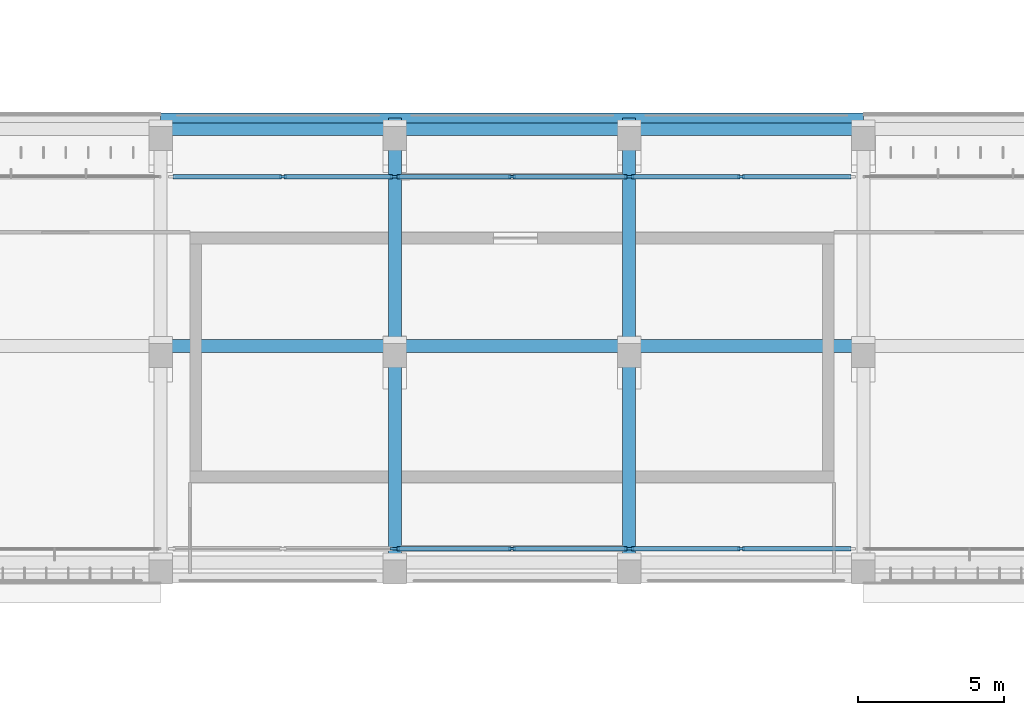
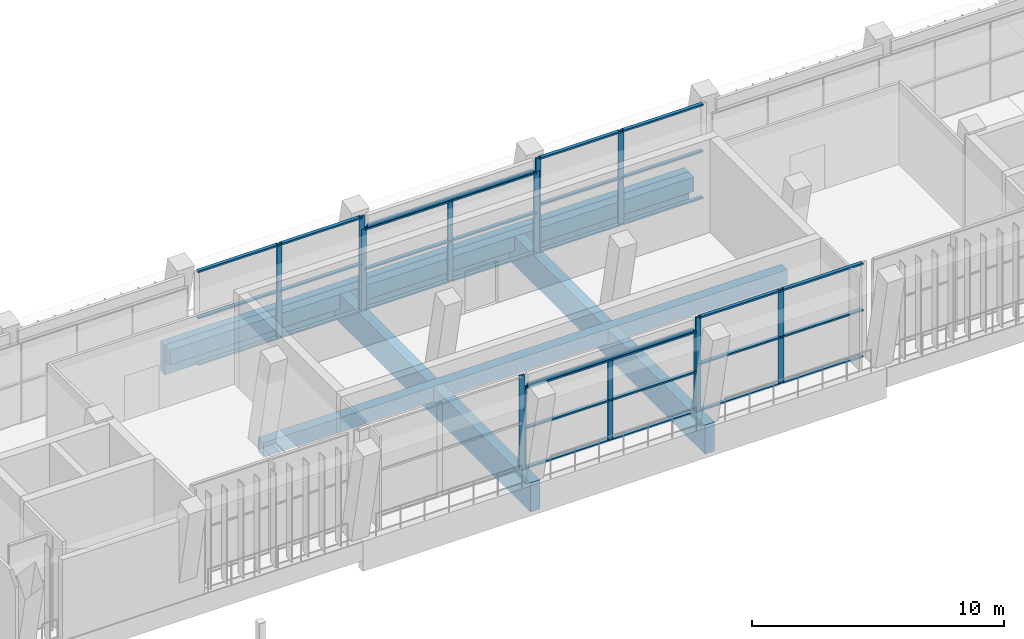
# One storey, part 16 of 89: 43 members, 7 beams, 6 elements without a shape of their own.
"""IFC4 building model written with IfcOpenShell, lengths in metres."""

from ifc_helpers import new_model, si_unit, direction, frame, origin, origin_2d, place, context, subcontext, project, spatial, rectangle, hollow_rectangle, extrude, material, material_profile, profile_set, type_object, element, aggregate, save


model = new_model("IFC4")

# Units and contexts
model_context = context("Model", 3, precision=1e-05, world=origin(), true_north=direction((0.0, 1.0)))
body_context = subcontext(model_context, "Body", "Model", "MODEL_VIEW")
ifc_project = project(units=[si_unit("LENGTHUNIT", "METRE"), si_unit("AREAUNIT", "SQUARE_METRE"), si_unit("VOLUMEUNIT", "CUBIC_METRE"), si_unit("PLANEANGLEUNIT", "RADIAN"), si_unit("MASSUNIT", "GRAM", prefix="KILO")], contexts=[model_context])

# Site, building, storey
site_placement = place(None, origin())
site = spatial("IfcSite", under=ifc_project, at=site_placement, CompositionType="ELEMENT")
building_placement = place(site_placement, origin())
building = spatial("IfcBuilding", under=site, at=building_placement, Name="Lantern Court Media Centre", CompositionType="ELEMENT")
storey_placement = place(building_placement, frame((0.0, 0.0, 14.39990234375)))
storey = spatial("IfcBuildingStorey", under=building, at=storey_placement, Name="L03", CompositionType="ELEMENT", Elevation=14.39990234375)

# Curtain wall, member
ifc_material_1 = material(Name="Curtain wall bay 4000")
curtain_wall_type = type_object("IfcCurtainWallType", Name="Curtain wall bay 4000", PredefinedType="NOTDEFINED", material=ifc_material_1)
curtain_wall_1_placement = place(storey_placement, origin())
curtain_wall_1 = element("IfcCurtainWall", 1, at=curtain_wall_1_placement, inside=storey, type_object=curtain_wall_type, Name="Curtain wall S outer L03", PredefinedType="NOTDEFINED")
ifc_material_2 = material(Name="Anodised aluminium", Category="aluminium")
ifc_material_profile_1 = material_profile(ifc_material_2, rectangle(XDim=0.080078125, YDim=0.239990234375, at=origin_2d()), Name="AL 80x240")
ifc_profile_set_1 = profile_set([ifc_material_profile_1], Name="Anodised aluminium")
member_type_1 = type_object("IfcMemberType", Name="Curtain wall mullion 80x240", PredefinedType="MULLION", material=ifc_profile_set_1)
member_1_placement = place(storey_placement, frame((47.9599609375, 46.14990234375, 0.0), z_axis=(0.0, 0.0, 1.0), x_axis=(0.0, 1.0, 0.0)))
member_1 = element("IfcMember", 2, at=member_1_placement, type_object=member_type_1, Name="CW3 mullion 3", PredefinedType="MULLION", context=body_context, shape_type="SweptSolid", body=[
    extrude(rectangle(XDim=0.080078125, YDim=0.239990234375, at=origin_2d()), origin(), (0.0, 0.0, 1.0), 4.580078125),
])
aggregate(curtain_wall_1, [member_1])

# Curtain wall, members
curtain_wall_2_placement = place(storey_placement, origin())
curtain_wall_2 = element("IfcCurtainWall", 3, at=curtain_wall_2_placement, inside=storey, type_object=curtain_wall_type, Name="Curtain wall S outer L03", PredefinedType="NOTDEFINED")
member_2_placement = place(storey_placement, frame((48.0400390625, 46.14990234375, 0.0), z_axis=(0.0, 0.0, 1.0), x_axis=(0.0, 1.0, 0.0)))
member_2 = element("IfcMember", 4, at=member_2_placement, type_object=member_type_1, Name="CW3 mullion 1", PredefinedType="MULLION", context=body_context, shape_type="SweptSolid", body=[
    extrude(rectangle(XDim=0.080078125, YDim=0.239990234375, at=origin_2d()), origin(), (0.0, 0.0, 1.0), 3.9501953125),
])
member_3_placement = place(storey_placement, frame((52.0, 46.14990234375, 0.0), z_axis=(0.0, 0.0, 1.0), x_axis=(0.0, 1.0, 0.0)))
member_3 = element("IfcMember", 5, at=member_3_placement, type_object=member_type_1, Name="CW3 mullion 2", PredefinedType="MULLION", context=body_context, shape_type="SweptSolid", body=[
    extrude(rectangle(XDim=0.080078125, YDim=0.239990234375, at=origin_2d()), origin(), (0.0, 0.0, 1.0), 3.9501953125),
])
member_4_placement = place(storey_placement, frame((55.9599609375, 46.14990234375, 0.0), z_axis=(0.0, 0.0, 1.0), x_axis=(0.0, 1.0, 0.0)))
member_4 = element("IfcMember", 6, at=member_4_placement, type_object=member_type_1, Name="CW3 mullion 3", PredefinedType="MULLION", context=body_context, shape_type="SweptSolid", body=[
    extrude(rectangle(XDim=0.080078125, YDim=0.239990234375, at=origin_2d()), origin(), (0.0, 0.0, 1.0), 3.9501953125),
])

curtain_wall_3_placement = place(storey_placement, origin())
curtain_wall_3 = element("IfcCurtainWall", 7, at=curtain_wall_3_placement, inside=storey, type_object=curtain_wall_type, Name="Curtain wall S outer L03", PredefinedType="NOTDEFINED")
member_5_placement = place(storey_placement, frame((56.0400390625, 46.14990234375, 0.0), z_axis=(0.0, 0.0, 1.0), x_axis=(0.0, 1.0, 0.0)))
member_5 = element("IfcMember", 8, at=member_5_placement, type_object=member_type_1, Name="CW3 mullion 1", PredefinedType="MULLION", context=body_context, shape_type="SweptSolid", body=[
    extrude(rectangle(XDim=0.080078125, YDim=0.239990234375, at=origin_2d()), origin(), (0.0, 0.0, 1.0), 4.580078125),
])
member_6_placement = place(storey_placement, frame((59.824951171875, 46.14990234375, 0.0), z_axis=(0.0, 0.0, 1.0), x_axis=(0.0, 1.0, 0.0)))
member_6 = element("IfcMember", 9, at=member_6_placement, type_object=member_type_1, Name="CW3 mullion 2", PredefinedType="MULLION", context=body_context, shape_type="SweptSolid", body=[
    extrude(rectangle(XDim=0.080078125, YDim=0.239990234375, at=origin_2d()), origin(), (0.0, 0.0, 1.0), 4.580078125),
])

curtain_wall_4_placement = place(storey_placement, origin())
curtain_wall_4 = element("IfcCurtainWall", 10, at=curtain_wall_4_placement, inside=storey, type_object=curtain_wall_type, Name="Curtain wall S inner L03", PredefinedType="NOTDEFINED")
member_7_placement = place(storey_placement, frame((44.175048828125, 58.85009765625, 0.0), z_axis=(0.0, 0.0, 1.0), x_axis=(0.0, 1.0, 0.0)))
member_7 = element("IfcMember", 11, at=member_7_placement, type_object=member_type_1, Name="CW3 mullion 2", PredefinedType="MULLION", context=body_context, shape_type="SweptSolid", body=[
    extrude(rectangle(XDim=0.080078125, YDim=0.239990234375, at=origin_2d()), origin(), (0.0, 0.0, 1.0), 4.580078125),
])
member_8_placement = place(storey_placement, frame((47.9599609375, 58.85009765625, 0.0), z_axis=(0.0, 0.0, 1.0), x_axis=(0.0, 1.0, 0.0)))
member_8 = element("IfcMember", 12, at=member_8_placement, type_object=member_type_1, Name="CW3 mullion 3", PredefinedType="MULLION", context=body_context, shape_type="SweptSolid", body=[
    extrude(rectangle(XDim=0.080078125, YDim=0.239990234375, at=origin_2d()), origin(), (0.0, 0.0, 1.0), 4.580078125),
])

curtain_wall_5_placement = place(storey_placement, origin())
curtain_wall_5 = element("IfcCurtainWall", 13, at=curtain_wall_5_placement, inside=storey, type_object=curtain_wall_type, Name="Curtain wall S inner L03", PredefinedType="NOTDEFINED")
member_9_placement = place(storey_placement, frame((48.0400390625, 58.85009765625, 0.0), z_axis=(0.0, 0.0, 1.0), x_axis=(0.0, 1.0, 0.0)))
member_9 = element("IfcMember", 14, at=member_9_placement, type_object=member_type_1, Name="CW3 mullion 1", PredefinedType="MULLION", context=body_context, shape_type="SweptSolid", body=[
    extrude(rectangle(XDim=0.080078125, YDim=0.239990234375, at=origin_2d()), origin(), (0.0, 0.0, 1.0), 3.9501953125),
])
member_10_placement = place(storey_placement, frame((52.0, 58.85009765625, 0.0), z_axis=(0.0, 0.0, 1.0), x_axis=(0.0, 1.0, 0.0)))
member_10 = element("IfcMember", 15, at=member_10_placement, type_object=member_type_1, Name="CW3 mullion 2", PredefinedType="MULLION", context=body_context, shape_type="SweptSolid", body=[
    extrude(rectangle(XDim=0.080078125, YDim=0.239990234375, at=origin_2d()), origin(), (0.0, 0.0, 1.0), 3.9501953125),
])
member_11_placement = place(storey_placement, frame((55.9599609375, 58.85009765625, 0.0), z_axis=(0.0, 0.0, 1.0), x_axis=(0.0, 1.0, 0.0)))
member_11 = element("IfcMember", 16, at=member_11_placement, type_object=member_type_1, Name="CW3 mullion 3", PredefinedType="MULLION", context=body_context, shape_type="SweptSolid", body=[
    extrude(rectangle(XDim=0.080078125, YDim=0.239990234375, at=origin_2d()), origin(), (0.0, 0.0, 1.0), 3.9501953125),
])

curtain_wall_6_placement = place(storey_placement, origin())
curtain_wall_6 = element("IfcCurtainWall", 17, at=curtain_wall_6_placement, inside=storey, type_object=curtain_wall_type, Name="Curtain wall S inner L03", PredefinedType="NOTDEFINED")
member_12_placement = place(storey_placement, frame((56.0400390625, 58.85009765625, 0.0), z_axis=(0.0, 0.0, 1.0), x_axis=(0.0, 1.0, 0.0)))
member_12 = element("IfcMember", 18, at=member_12_placement, type_object=member_type_1, Name="CW3 mullion 1", PredefinedType="MULLION", context=body_context, shape_type="SweptSolid", body=[
    extrude(rectangle(XDim=0.080078125, YDim=0.239990234375, at=origin_2d()), origin(), (0.0, 0.0, 1.0), 4.580078125),
])
member_13_placement = place(storey_placement, frame((59.824951171875, 58.85009765625, 0.0), z_axis=(0.0, 0.0, 1.0), x_axis=(0.0, 1.0, 0.0)))
member_13 = element("IfcMember", 19, at=member_13_placement, type_object=member_type_1, Name="CW3 mullion 2", PredefinedType="MULLION", context=body_context, shape_type="SweptSolid", body=[
    extrude(rectangle(XDim=0.080078125, YDim=0.239990234375, at=origin_2d()), origin(), (0.0, 0.0, 1.0), 4.580078125),
])

# Member
ifc_material_profile_2 = material_profile(ifc_material_2, rectangle(XDim=0.159912109375, YDim=0.080078125, at=origin_2d()), Name="AL 80x160")
ifc_profile_set_2 = profile_set([ifc_material_profile_2], Name="Anodised aluminium")
member_type_2 = type_object("IfcMemberType", Name="Curtain wall transom 160x80", PredefinedType="USERDEFINED", material=ifc_profile_set_2)
member_14_placement = place(storey_placement, frame((48.080078125, 46.14990234375, 0.0400390625), z_axis=(1.0, 0.0, 0.0), x_axis=(0.0, 1.0, 0.0)))
member_14 = element("IfcMember", 20, at=member_14_placement, type_object=member_type_2, Name="CW3 transom 1.1", ObjectType="TRANSOM", PredefinedType="USERDEFINED", context=body_context, shape_type="SweptSolid", body=[
    extrude(rectangle(XDim=0.159912109375, YDim=0.080078125, at=origin_2d()), origin(), (0.0, 0.0, 1.0), 3.8798828125),
])

member_15_placement = place(storey_placement, frame((48.080078125, 46.14990234375, 1.97509765625), z_axis=(1.0, 0.0, 0.0), x_axis=(0.0, 1.0, 0.0)))
member_15 = element("IfcMember", 21, at=member_15_placement, type_object=member_type_2, Name="CW3 transom 1.2", ObjectType="TRANSOM", PredefinedType="USERDEFINED", context=body_context, shape_type="SweptSolid", body=[
    extrude(rectangle(XDim=0.159912109375, YDim=0.080078125, at=origin_2d()), origin(), (0.0, 0.0, 1.0), 3.8798828125),
])

member_16_placement = place(storey_placement, frame((48.080078125, 46.14990234375, 3.91015625), z_axis=(1.0, 0.0, 0.0), x_axis=(0.0, 1.0, 0.0)))
member_16 = element("IfcMember", 22, at=member_16_placement, type_object=member_type_2, Name="CW3 transom 1.3", ObjectType="TRANSOM", PredefinedType="USERDEFINED", context=body_context, shape_type="SweptSolid", body=[
    extrude(rectangle(XDim=0.159912109375, YDim=0.080078125, at=origin_2d()), origin(), (0.0, 0.0, 1.0), 3.8798828125),
])

member_17_placement = place(storey_placement, frame((52.0400390625, 46.14990234375, 0.0400390625), z_axis=(1.0, 0.0, 0.0), x_axis=(0.0, 1.0, 0.0)))
member_17 = element("IfcMember", 23, at=member_17_placement, type_object=member_type_2, Name="CW3 transom 2.1", ObjectType="TRANSOM", PredefinedType="USERDEFINED", context=body_context, shape_type="SweptSolid", body=[
    extrude(rectangle(XDim=0.159912109375, YDim=0.080078125, at=origin_2d()), origin(), (0.0, 0.0, 1.0), 3.8798828125),
])

member_18_placement = place(storey_placement, frame((52.0400390625, 46.14990234375, 1.97509765625), z_axis=(1.0, 0.0, 0.0), x_axis=(0.0, 1.0, 0.0)))
member_18 = element("IfcMember", 24, at=member_18_placement, type_object=member_type_2, Name="CW3 transom 2.2", ObjectType="TRANSOM", PredefinedType="USERDEFINED", context=body_context, shape_type="SweptSolid", body=[
    extrude(rectangle(XDim=0.159912109375, YDim=0.080078125, at=origin_2d()), origin(), (0.0, 0.0, 1.0), 3.8798828125),
])

member_19_placement = place(storey_placement, frame((52.0400390625, 46.14990234375, 3.91015625), z_axis=(1.0, 0.0, 0.0), x_axis=(0.0, 1.0, 0.0)))
member_19 = element("IfcMember", 25, at=member_19_placement, type_object=member_type_2, Name="CW3 transom 2.3", ObjectType="TRANSOM", PredefinedType="USERDEFINED", context=body_context, shape_type="SweptSolid", body=[
    extrude(rectangle(XDim=0.159912109375, YDim=0.080078125, at=origin_2d()), origin(), (0.0, 0.0, 1.0), 3.8798828125),
])

aggregate(curtain_wall_2, [member_2, member_3, member_4, member_14, member_15, member_16, member_17, member_18, member_19])

member_20_placement = place(storey_placement, frame((56.080078125, 46.14990234375, 0.0400390625), z_axis=(1.0, 0.0, 0.0), x_axis=(0.0, 1.0, 0.0)))
member_20 = element("IfcMember", 26, at=member_20_placement, type_object=member_type_2, Name="CW3 transom 1.1", ObjectType="TRANSOM", PredefinedType="USERDEFINED", context=body_context, shape_type="SweptSolid", body=[
    extrude(rectangle(XDim=0.159912109375, YDim=0.080078125, at=origin_2d()), origin(), (0.0, 0.0, 1.0), 3.704833984375),
])

member_21_placement = place(storey_placement, frame((56.080078125, 46.14990234375, 2.2900390625), z_axis=(1.0, 0.0, 0.0), x_axis=(0.0, 1.0, 0.0)))
member_21 = element("IfcMember", 27, at=member_21_placement, type_object=member_type_2, Name="CW3 transom 1.2", ObjectType="TRANSOM", PredefinedType="USERDEFINED", context=body_context, shape_type="SweptSolid", body=[
    extrude(rectangle(XDim=0.159912109375, YDim=0.080078125, at=origin_2d()), origin(), (0.0, 0.0, 1.0), 3.704833984375),
])

member_22_placement = place(storey_placement, frame((56.080078125, 46.14990234375, 4.5400390625), z_axis=(1.0, 0.0, 0.0), x_axis=(0.0, 1.0, 0.0)))
member_22 = element("IfcMember", 28, at=member_22_placement, type_object=member_type_2, Name="CW3 transom 1.3", ObjectType="TRANSOM", PredefinedType="USERDEFINED", context=body_context, shape_type="SweptSolid", body=[
    extrude(rectangle(XDim=0.159912109375, YDim=0.080078125, at=origin_2d()), origin(), (0.0, 0.0, 1.0), 3.704833984375),
])

member_23_placement = place(storey_placement, frame((59.864990234375, 46.14990234375, 0.0400390625), z_axis=(1.0, 0.0, 0.0), x_axis=(0.0, 1.0, 0.0)))
member_23 = element("IfcMember", 29, at=member_23_placement, type_object=member_type_2, Name="CW3 transom 2.1", ObjectType="TRANSOM", PredefinedType="USERDEFINED", context=body_context, shape_type="SweptSolid", body=[
    extrude(rectangle(XDim=0.159912109375, YDim=0.080078125, at=origin_2d()), origin(), (0.0, 0.0, 1.0), 3.705078125),
])

member_24_placement = place(storey_placement, frame((59.864990234375, 46.14990234375, 2.2900390625), z_axis=(1.0, 0.0, 0.0), x_axis=(0.0, 1.0, 0.0)))
member_24 = element("IfcMember", 30, at=member_24_placement, type_object=member_type_2, Name="CW3 transom 2.2", ObjectType="TRANSOM", PredefinedType="USERDEFINED", context=body_context, shape_type="SweptSolid", body=[
    extrude(rectangle(XDim=0.159912109375, YDim=0.080078125, at=origin_2d()), origin(), (0.0, 0.0, 1.0), 3.705078125),
])

member_25_placement = place(storey_placement, frame((59.864990234375, 46.14990234375, 4.5400390625), z_axis=(1.0, 0.0, 0.0), x_axis=(0.0, 1.0, 0.0)))
member_25 = element("IfcMember", 31, at=member_25_placement, type_object=member_type_2, Name="CW3 transom 2.3", ObjectType="TRANSOM", PredefinedType="USERDEFINED", context=body_context, shape_type="SweptSolid", body=[
    extrude(rectangle(XDim=0.159912109375, YDim=0.080078125, at=origin_2d()), origin(), (0.0, 0.0, 1.0), 3.705078125),
])

aggregate(curtain_wall_3, [member_5, member_6, member_20, member_21, member_22, member_23, member_24, member_25])

member_26_placement = place(storey_placement, frame((40.429931640625, 58.85009765625, 0.0400390625), z_axis=(1.0, 0.0, 0.0), x_axis=(0.0, 1.0, 0.0)))
member_26 = element("IfcMember", 32, at=member_26_placement, type_object=member_type_2, Name="CW3 transom 1.1", ObjectType="TRANSOM", PredefinedType="USERDEFINED", context=body_context, shape_type="SweptSolid", body=[
    extrude(rectangle(XDim=0.159912109375, YDim=0.080078125, at=origin_2d()), origin(), (0.0, 0.0, 1.0), 3.705078125),
])

member_27_placement = place(storey_placement, frame((40.429931640625, 58.85009765625, 2.2900390625), z_axis=(1.0, 0.0, 0.0), x_axis=(0.0, 1.0, 0.0)))
member_27 = element("IfcMember", 33, at=member_27_placement, type_object=member_type_2, Name="CW3 transom 1.2", ObjectType="TRANSOM", PredefinedType="USERDEFINED", context=body_context, shape_type="SweptSolid", body=[
    extrude(rectangle(XDim=0.159912109375, YDim=0.080078125, at=origin_2d()), origin(), (0.0, 0.0, 1.0), 3.705078125),
])

member_28_placement = place(storey_placement, frame((40.429931640625, 58.85009765625, 4.5400390625), z_axis=(1.0, 0.0, 0.0), x_axis=(0.0, 1.0, 0.0)))
member_28 = element("IfcMember", 34, at=member_28_placement, type_object=member_type_2, Name="CW3 transom 1.3", ObjectType="TRANSOM", PredefinedType="USERDEFINED", context=body_context, shape_type="SweptSolid", body=[
    extrude(rectangle(XDim=0.159912109375, YDim=0.080078125, at=origin_2d()), origin(), (0.0, 0.0, 1.0), 3.705078125),
])

member_29_placement = place(storey_placement, frame((44.215087890625, 58.85009765625, 0.0400390625), z_axis=(1.0, 0.0, 0.0), x_axis=(0.0, 1.0, 0.0)))
member_29 = element("IfcMember", 35, at=member_29_placement, type_object=member_type_2, Name="CW3 transom 2.1", ObjectType="TRANSOM", PredefinedType="USERDEFINED", context=body_context, shape_type="SweptSolid", body=[
    extrude(rectangle(XDim=0.159912109375, YDim=0.080078125, at=origin_2d()), origin(), (0.0, 0.0, 1.0), 3.704833984375),
])

member_30_placement = place(storey_placement, frame((44.215087890625, 58.85009765625, 2.2900390625), z_axis=(1.0, 0.0, 0.0), x_axis=(0.0, 1.0, 0.0)))
member_30 = element("IfcMember", 36, at=member_30_placement, type_object=member_type_2, Name="CW3 transom 2.2", ObjectType="TRANSOM", PredefinedType="USERDEFINED", context=body_context, shape_type="SweptSolid", body=[
    extrude(rectangle(XDim=0.159912109375, YDim=0.080078125, at=origin_2d()), origin(), (0.0, 0.0, 1.0), 3.704833984375),
])

member_31_placement = place(storey_placement, frame((44.215087890625, 58.85009765625, 4.5400390625), z_axis=(1.0, 0.0, 0.0), x_axis=(0.0, 1.0, 0.0)))
member_31 = element("IfcMember", 37, at=member_31_placement, type_object=member_type_2, Name="CW3 transom 2.3", ObjectType="TRANSOM", PredefinedType="USERDEFINED", context=body_context, shape_type="SweptSolid", body=[
    extrude(rectangle(XDim=0.159912109375, YDim=0.080078125, at=origin_2d()), origin(), (0.0, 0.0, 1.0), 3.704833984375),
])

aggregate(curtain_wall_4, [member_7, member_8, member_26, member_27, member_28, member_29, member_30, member_31])

member_32_placement = place(storey_placement, frame((48.080078125, 58.85009765625, 0.0400390625), z_axis=(1.0, 0.0, 0.0), x_axis=(0.0, 1.0, 0.0)))
member_32 = element("IfcMember", 38, at=member_32_placement, type_object=member_type_2, Name="CW3 transom 1.1", ObjectType="TRANSOM", PredefinedType="USERDEFINED", context=body_context, shape_type="SweptSolid", body=[
    extrude(rectangle(XDim=0.159912109375, YDim=0.080078125, at=origin_2d()), origin(), (0.0, 0.0, 1.0), 3.8798828125),
])

member_33_placement = place(storey_placement, frame((48.080078125, 58.85009765625, 1.97509765625), z_axis=(1.0, 0.0, 0.0), x_axis=(0.0, 1.0, 0.0)))
member_33 = element("IfcMember", 39, at=member_33_placement, type_object=member_type_2, Name="CW3 transom 1.2", ObjectType="TRANSOM", PredefinedType="USERDEFINED", context=body_context, shape_type="SweptSolid", body=[
    extrude(rectangle(XDim=0.159912109375, YDim=0.080078125, at=origin_2d()), origin(), (0.0, 0.0, 1.0), 3.8798828125),
])

member_34_placement = place(storey_placement, frame((48.080078125, 58.85009765625, 3.91015625), z_axis=(1.0, 0.0, 0.0), x_axis=(0.0, 1.0, 0.0)))
member_34 = element("IfcMember", 40, at=member_34_placement, type_object=member_type_2, Name="CW3 transom 1.3", ObjectType="TRANSOM", PredefinedType="USERDEFINED", context=body_context, shape_type="SweptSolid", body=[
    extrude(rectangle(XDim=0.159912109375, YDim=0.080078125, at=origin_2d()), origin(), (0.0, 0.0, 1.0), 3.8798828125),
])

member_35_placement = place(storey_placement, frame((52.0400390625, 58.85009765625, 0.0400390625), z_axis=(1.0, 0.0, 0.0), x_axis=(0.0, 1.0, 0.0)))
member_35 = element("IfcMember", 41, at=member_35_placement, type_object=member_type_2, Name="CW3 transom 2.1", ObjectType="TRANSOM", PredefinedType="USERDEFINED", context=body_context, shape_type="SweptSolid", body=[
    extrude(rectangle(XDim=0.159912109375, YDim=0.080078125, at=origin_2d()), origin(), (0.0, 0.0, 1.0), 3.8798828125),
])

member_36_placement = place(storey_placement, frame((52.0400390625, 58.85009765625, 1.97509765625), z_axis=(1.0, 0.0, 0.0), x_axis=(0.0, 1.0, 0.0)))
member_36 = element("IfcMember", 42, at=member_36_placement, type_object=member_type_2, Name="CW3 transom 2.2", ObjectType="TRANSOM", PredefinedType="USERDEFINED", context=body_context, shape_type="SweptSolid", body=[
    extrude(rectangle(XDim=0.159912109375, YDim=0.080078125, at=origin_2d()), origin(), (0.0, 0.0, 1.0), 3.8798828125),
])

member_37_placement = place(storey_placement, frame((52.0400390625, 58.85009765625, 3.91015625), z_axis=(1.0, 0.0, 0.0), x_axis=(0.0, 1.0, 0.0)))
member_37 = element("IfcMember", 43, at=member_37_placement, type_object=member_type_2, Name="CW3 transom 2.3", ObjectType="TRANSOM", PredefinedType="USERDEFINED", context=body_context, shape_type="SweptSolid", body=[
    extrude(rectangle(XDim=0.159912109375, YDim=0.080078125, at=origin_2d()), origin(), (0.0, 0.0, 1.0), 3.8798828125),
])

aggregate(curtain_wall_5, [member_9, member_10, member_11, member_32, member_33, member_34, member_35, member_36, member_37])

member_38_placement = place(storey_placement, frame((56.080078125, 58.85009765625, 0.0400390625), z_axis=(1.0, 0.0, 0.0), x_axis=(0.0, 1.0, 0.0)))
member_38 = element("IfcMember", 44, at=member_38_placement, type_object=member_type_2, Name="CW3 transom 1.1", ObjectType="TRANSOM", PredefinedType="USERDEFINED", context=body_context, shape_type="SweptSolid", body=[
    extrude(rectangle(XDim=0.159912109375, YDim=0.080078125, at=origin_2d()), origin(), (0.0, 0.0, 1.0), 3.704833984375),
])

member_39_placement = place(storey_placement, frame((56.080078125, 58.85009765625, 2.2900390625), z_axis=(1.0, 0.0, 0.0), x_axis=(0.0, 1.0, 0.0)))
member_39 = element("IfcMember", 45, at=member_39_placement, type_object=member_type_2, Name="CW3 transom 1.2", ObjectType="TRANSOM", PredefinedType="USERDEFINED", context=body_context, shape_type="SweptSolid", body=[
    extrude(rectangle(XDim=0.159912109375, YDim=0.080078125, at=origin_2d()), origin(), (0.0, 0.0, 1.0), 3.704833984375),
])

member_40_placement = place(storey_placement, frame((56.080078125, 58.85009765625, 4.5400390625), z_axis=(1.0, 0.0, 0.0), x_axis=(0.0, 1.0, 0.0)))
member_40 = element("IfcMember", 46, at=member_40_placement, type_object=member_type_2, Name="CW3 transom 1.3", ObjectType="TRANSOM", PredefinedType="USERDEFINED", context=body_context, shape_type="SweptSolid", body=[
    extrude(rectangle(XDim=0.159912109375, YDim=0.080078125, at=origin_2d()), origin(), (0.0, 0.0, 1.0), 3.704833984375),
])

member_41_placement = place(storey_placement, frame((59.864990234375, 58.85009765625, 0.0400390625), z_axis=(1.0, 0.0, 0.0), x_axis=(0.0, 1.0, 0.0)))
member_41 = element("IfcMember", 47, at=member_41_placement, type_object=member_type_2, Name="CW3 transom 2.1", ObjectType="TRANSOM", PredefinedType="USERDEFINED", context=body_context, shape_type="SweptSolid", body=[
    extrude(rectangle(XDim=0.159912109375, YDim=0.080078125, at=origin_2d()), origin(), (0.0, 0.0, 1.0), 3.705078125),
])

member_42_placement = place(storey_placement, frame((59.864990234375, 58.85009765625, 2.2900390625), z_axis=(1.0, 0.0, 0.0), x_axis=(0.0, 1.0, 0.0)))
member_42 = element("IfcMember", 48, at=member_42_placement, type_object=member_type_2, Name="CW3 transom 2.2", ObjectType="TRANSOM", PredefinedType="USERDEFINED", context=body_context, shape_type="SweptSolid", body=[
    extrude(rectangle(XDim=0.159912109375, YDim=0.080078125, at=origin_2d()), origin(), (0.0, 0.0, 1.0), 3.705078125),
])

member_43_placement = place(storey_placement, frame((59.864990234375, 58.85009765625, 4.5400390625), z_axis=(1.0, 0.0, 0.0), x_axis=(0.0, 1.0, 0.0)))
member_43 = element("IfcMember", 49, at=member_43_placement, type_object=member_type_2, Name="CW3 transom 2.3", ObjectType="TRANSOM", PredefinedType="USERDEFINED", context=body_context, shape_type="SweptSolid", body=[
    extrude(rectangle(XDim=0.159912109375, YDim=0.080078125, at=origin_2d()), origin(), (0.0, 0.0, 1.0), 3.705078125),
])

aggregate(curtain_wall_6, [member_12, member_13, member_38, member_39, member_40, member_41, member_42, member_43])

# Beams
ifc_material_3 = material(Name="Steel S355J2 (EN 10025-2)", Category="steel")
ifc_material_profile_3 = material_profile(ifc_material_3, hollow_rectangle(XDim=0.10009765625, YDim=0.14990234375, WallThickness=0.00634765625, InnerFilletRadius=0.00634765625, OuterFilletRadius=0.009521484375, at=origin_2d()), Name="Facade head lintel RHS 150x100x6.3")
ifc_profile_set_3 = profile_set([ifc_material_profile_3], Name="Steel S355J2 (EN 10025-2)")
beam_type_1 = type_object("IfcBeamType", Name="Facade head lintel RHS 150x100x6.3", PredefinedType="BEAM", material=ifc_profile_set_3)
for number, where, z_axis, x_axis, name in (
    (50, (48.199951171875, 46.14990234375, 4.025146484375), (1.0, 0.0, 0.0), (0.0, 1.0, 0.0), "Facade head lintel S L03"),
    (51, (48.199951171875, 58.85009765625, 4.025146484375), (1.0, 0.0, 0.0), (0.0, 1.0, 0.0), "Facade head lintel S L03"),
):
    element("IfcBeam", number, at=place(storey_placement, frame(where, z_axis=z_axis, x_axis=x_axis)), inside=storey, type_object=beam_type_1, Name=name, PredefinedType="BEAM", context=body_context, shape_type="SweptSolid", body=[
        extrude(hollow_rectangle(XDim=0.10009765625, YDim=0.14990234375, WallThickness=0.00634765625, InnerFilletRadius=0.00634765625, OuterFilletRadius=0.009521484375, at=origin_2d()), origin(), (0.0, 0.0, 1.0), 7.60009765625),
    ])
ifc_material_4 = material(Name="Concrete C35", Category="concrete")
ifc_material_profile_4 = material_profile(ifc_material_4, rectangle(XDim=0.35009765625, YDim=1.449951171875, at=origin_2d()), Name="RC 350x1450")
ifc_profile_set_4 = profile_set([ifc_material_profile_4], Name="Concrete C35")
beam_type_2 = type_object("IfcBeamType", Name="RC BEAM 350x1450", PredefinedType="BEAM", material=ifc_profile_set_4)
beam_placement = place(storey_placement, frame((40.0, 60.85009765625, -0.724853515625), z_axis=(1.0, 0.0, 0.0), x_axis=(0.0, 1.0, 0.0)))
element("IfcBeam", 52, at=beam_placement, inside=storey, type_object=beam_type_2, Name="EB-S-L03-B-1", PredefinedType="BEAM", context=body_context, shape_type="SweptSolid", body=[
    extrude(rectangle(XDim=0.35009765625, YDim=1.449951171875, at=origin_2d()), origin(), (0.0, 0.0, 1.0), 24.0),
])
ifc_material_profile_5 = material_profile(ifc_material_4, rectangle(XDim=0.449951171875, YDim=1.39990234375, at=origin_2d()), Name="RC 450x1400")
ifc_profile_set_5 = profile_set([ifc_material_profile_5], Name="Concrete C35")
beam_type_3 = type_object("IfcBeamType", Name="RC BEAM 450x1400", PredefinedType="BEAM", material=ifc_profile_set_5)
for number, where, z_axis, x_axis, name in (
    (53, (48.0, 45.14990234375, -0.699951171875), (0.0, 1.0, 0.0), (-1.0, 0.0, 0.0), "TB-S-L03-3-0"),
    (54, (56.0, 45.14990234375, -0.699951171875), (0.0, 1.0, 0.0), (-1.0, 0.0, 0.0), "TB-S-L03-4-0"),
):
    element("IfcBeam", number, at=place(storey_placement, frame(where, z_axis=z_axis, x_axis=x_axis)), inside=storey, type_object=beam_type_3, Name=name, PredefinedType="BEAM", context=body_context, shape_type="SweptSolid", body=[
        extrude(rectangle(XDim=0.449951171875, YDim=1.39990234375, at=origin_2d()), origin(), (0.0, 0.0, 1.0), 15.7001953125),
    ])
ifc_material_profile_6 = material_profile(ifc_material_4, rectangle(XDim=0.449951171875, YDim=0.699951171875, at=origin_2d()), Name="RC 450x700")
ifc_profile_set_6 = profile_set([ifc_material_profile_6], Name="Concrete C35")
beam_type_4 = type_object("IfcBeamType", Name="RC BEAM 450x700", PredefinedType="BEAM", material=ifc_profile_set_6)
for number, where, z_axis, x_axis, name in (
    (55, (40.0, 53.072998046875, -0.349853515625), (1.0, 0.0, 0.0), (0.0, 1.0, 0.0), "LB-S-L03-1-2"),
    (56, (40.0, 60.472900390625, -0.349853515625), (1.0, 0.0, 0.0), (0.0, 1.0, 0.0), "LB-S-L03-2-2"),
):
    element("IfcBeam", number, at=place(storey_placement, frame(where, z_axis=z_axis, x_axis=x_axis)), inside=storey, type_object=beam_type_4, Name=name, PredefinedType="BEAM", context=body_context, shape_type="SweptSolid", body=[
        extrude(rectangle(XDim=0.449951171875, YDim=0.699951171875, at=origin_2d()), origin(), (0.0, 0.0, 1.0), 24.0),
    ])

save(model, "model.ifc")
